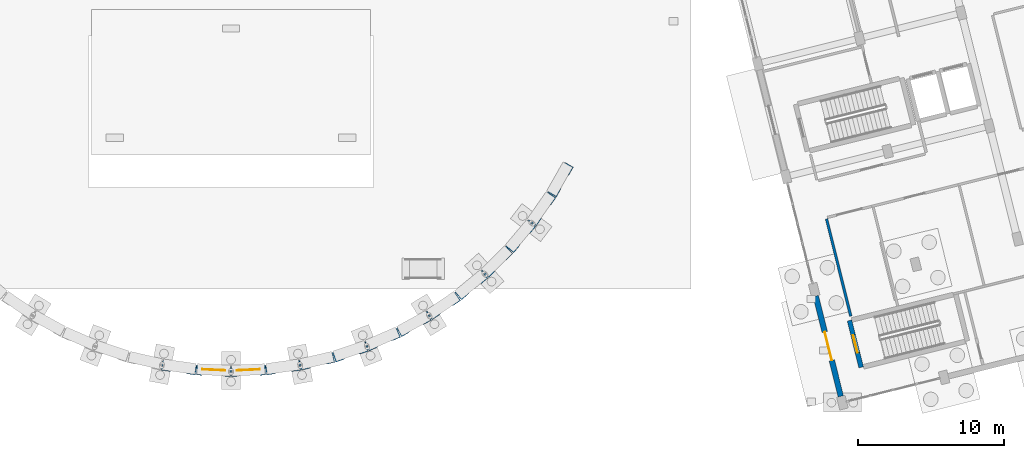
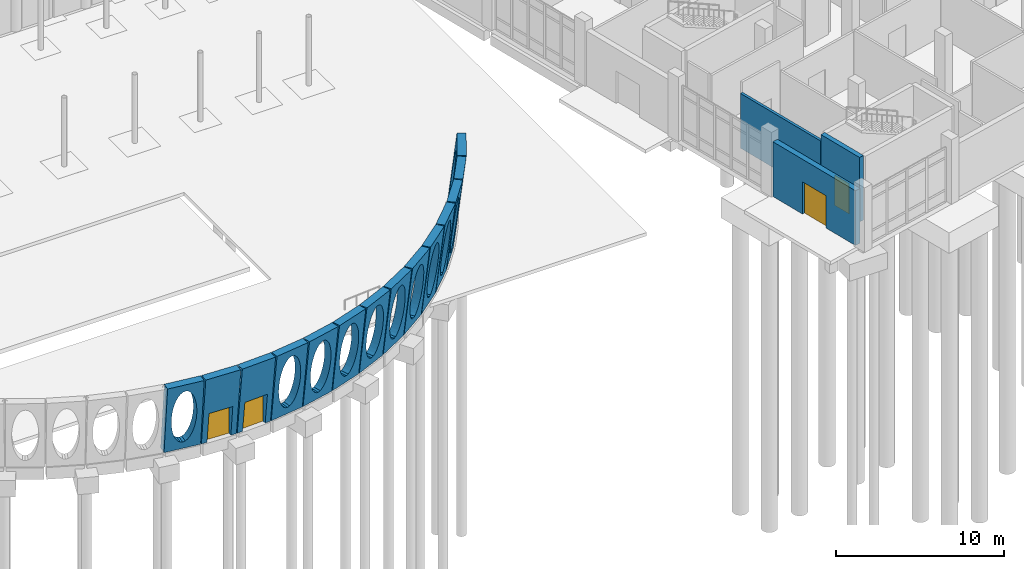
# One storey, part 151 of 173: 17 walls, 4 doors, 16 openings.
"""IFC4 building model written with IfcOpenShell, lengths in metres."""

from ifc_helpers import new_model, si_unit, direction, frame, frame_2d, origin, place, context, subcontext, project, spatial, polyline, rectangle, outline, extrude, material, layer, layer_set, type_object, element, fill, save


model = new_model("IFC4")

# Units and contexts
model_context = context("Model", 3, precision=1e-05, world=origin(), true_north=direction((0.0, 1.0)))
body_context = subcontext(model_context, "Body", "Model", "MODEL_VIEW")
ifc_project = project(units=[si_unit("LENGTHUNIT", "METRE"), si_unit("AREAUNIT", "SQUARE_METRE"), si_unit("VOLUMEUNIT", "CUBIC_METRE"), si_unit("PLANEANGLEUNIT", "RADIAN"), si_unit("MASSUNIT", "GRAM", prefix="KILO")], contexts=[model_context])

# Site, building, storey
site_placement = place(None, origin())
site = spatial("IfcSite", under=ifc_project, at=site_placement, CompositionType="ELEMENT")
building_placement = place(site_placement, origin())
building = spatial("IfcBuilding", under=site, at=building_placement, Name="Mawjan Specialist Oncology Clinic", CompositionType="ELEMENT")
storey_placement = place(building_placement, origin())
storey = spatial("IfcBuildingStorey", under=building, at=storey_placement, Name="L00", CompositionType="ELEMENT", Elevation=0.0)

# Wall, opening, door
ifc_material_1 = material(Name="Precast concrete C40/50", Category="concrete")
ifc_layer_1 = layer(ifc_material_1, 0.3798828125, Name="Precast concrete C40/50", Category="concrete")
ifc_layer_set_1 = layer_set([ifc_layer_1], Name="Precast concrete C40/50")
wall_type_1 = type_object("IfcWallType", Name="EW-380", PredefinedType="SOLIDWALL", material=ifc_layer_set_1)
wall_1_placement = place(storey_placement, frame((125.89111328125, 1.236572265625, 0.0), z_axis=(0.0, 0.0, 1.0), x_axis=(-0.241904492141, 0.97030006528, 0.0)))
wall_1 = element("IfcWall", 1, at=wall_1_placement, inside=storey, type_object=wall_type_1, Name="L00 Coral-Limestone Exterior Wall EW-L00-068", PredefinedType="SOLIDWALL", context=body_context, shape_type="SweptSolid", body=[
    extrude(rectangle(XDim=7.10009765625, YDim=0.3798828125, at=frame_2d((3.550048828125, 0.0))), origin(), (0.0, 0.0, 1.0), 3.985107421875),
])
opening_1_placement = place(wall_1_placement, frame((2.550048828125, 0.0, 0.0)))
opening_1 = element("IfcOpeningElement", 2, at=opening_1_placement, cuts=wall_1, Name="Opening DE-200", PredefinedType="OPENING", context=body_context, shape_type="SweptSolid", body=[
    extrude(rectangle(XDim=2.0, YDim=2.35009765625, at=frame_2d((1.0, 1.175048828125))), frame((0.0, 0.201904296875, 0.0), z_axis=(0.0, -1.0, 0.0), x_axis=(1.0, 0.0, 0.0)), (0.0, 0.0, 1.0), 0.40380859375),
])
ifc_material_2 = material(Name="Insulated marine-grade aluminium entrance assembly", Category="aluminium")
door_type_1 = type_object("IfcDoorType", Name="DE-200", OperationType="DOUBLE_DOOR_SINGLE_SWING", PredefinedType="DOOR", material=ifc_material_2)
door_1_placement = place(opening_1_placement, origin())
door_1 = element("IfcDoor", 3, at=door_1_placement, inside=storey, type_object=door_type_1, Name="Exit Stair ST-06 Final Exterior Discharge Door", OperationType="DOUBLE_DOOR_SINGLE_SWING", OverallHeight=2.35009765625, OverallWidth=2.0, PredefinedType="DOOR", context=body_context, shape_type="SweptSolid", body=[
    extrude(rectangle(XDim=2.0, YDim=2.35009765625, at=frame_2d((1.0, 1.175048828125))), frame((0.0, 0.02490234375, 0.0), z_axis=(0.0, -1.0, 0.0), x_axis=(1.0, 0.0, 0.0)), (0.0, 0.0, 1.0), 0.050048828125),
])
fill(opening_1, door_1)

# Wall, opening
ifc_material_3 = material(Name="Concrete C45/55", Category="concrete")
ifc_layer_2 = layer(ifc_material_3, 0.550048828125, Name="Concrete C45/55", Category="concrete")
ifc_layer_set_2 = layer_set([ifc_layer_2], Name="Concrete C45/55")
wall_type_2 = type_object("IfcWallType", Name="EW-ARC550", PredefinedType="SOLIDWALL", material=ifc_layer_set_2)
wall_2_placement = place(storey_placement, frame((81.606201171875, 3.111083984375, 0.0), z_axis=(0.0, 0.0, 1.0), x_axis=(-0.990564833786, 0.137044919882, 0.0)))
wall_2 = element("IfcWall", 4, at=wall_2_placement, inside=storey, type_object=wall_type_2, Name="Curved Stone-Arc Wall L00 Chord 11", PredefinedType="SOLIDWALL", context=body_context, shape_type="SweptSolid", body=[
    extrude(outline(polyline([(-0.27490234375, 0.0), (0.27490234375, 0.0), (0.8447265625, 5.0), (0.29443359375, 5.0), (-0.27490234375, 0.0)])), frame((0.0, 0.0, 0.0), z_axis=(1.0, 0.0, 0.0), x_axis=(0.0, 1.0, 0.0)), (0.0, 0.0, 1.0), 2.3515625),
])
opening_2_placement = place(wall_2_placement, origin())
element("IfcOpeningElement", 5, at=opening_2_placement, cuts=wall_2, Name="Elliptical sky opening 1", PredefinedType="OPENING", context=body_context, shape_type="SweptSolid", body=[
    extrude(outline(polyline([(1.99169921875, 2.5), (1.975830078125, 2.889404296875), (1.929443359375, 3.263671875), (1.85400390625, 3.608642578125), (1.752685546875, 3.9111328125), (1.629150390625, 4.1591796875), (1.488037109375, 4.34375), (1.3349609375, 4.457275390625), (1.17578125, 4.49560546875), (1.0166015625, 4.457275390625), (0.863525390625, 4.34375), (0.72265625, 4.1591796875), (0.598876953125, 3.9111328125), (0.49755859375, 3.608642578125), (0.422119140625, 3.263671875), (0.375732421875, 2.889404296875), (0.360107421875, 2.5), (0.375732421875, 2.110595703125), (0.422119140625, 1.736328125), (0.49755859375, 1.391357421875), (0.598876953125, 1.0888671875), (0.72265625, 0.8408203125), (0.863525390625, 0.65625), (1.0166015625, 0.542724609375), (1.17578125, 0.50439453125), (1.3349609375, 0.542724609375), (1.488037109375, 0.65625), (1.629150390625, 0.8408203125), (1.752685546875, 1.0888671875), (1.85400390625, 1.391357421875), (1.929443359375, 1.736328125), (1.975830078125, 2.110595703125), (1.99169921875, 2.5)])), frame((0.0, 0.864501953125, 0.0), z_axis=(0.0, -1.0, 0.0), x_axis=(1.0, 0.0, 0.0)), (0.0, 0.0, 1.0), 1.15966796875),
])

# Wall, opening, door
wall_3_placement = place(storey_placement, frame((83.985107421875, 3.000732421875, 0.0), z_axis=(0.0, 0.0, 1.0), x_axis=(-0.9989513443, 0.045784404784, 0.0)))
wall_3 = element("IfcWall", 6, at=wall_3_placement, inside=storey, type_object=wall_type_2, Name="Curved Stone-Arc Wall L00 Chord 12", PredefinedType="SOLIDWALL", context=body_context, shape_type="SweptSolid", body=[
    extrude(outline(polyline([(-0.27490234375, 0.0), (0.27490234375, 0.0), (0.8447265625, 5.0), (0.29443359375, 5.0), (-0.27490234375, 0.0)])), frame((0.0, 0.0, 0.0), z_axis=(1.0, 0.0, 0.0), x_axis=(0.0, 1.0, 0.0)), (0.0, 0.0, 1.0), 2.3515625),
])
opening_3_placement = place(wall_3_placement, frame((0.375732421875, 0.0, 0.0)))
opening_3 = element("IfcOpeningElement", 7, at=opening_3_placement, cuts=wall_3, Name="Opening DT-160", PredefinedType="OPENING", context=body_context, shape_type="SweptSolid", body=[
    extrude(rectangle(XDim=1.60009765625, YDim=2.25, at=frame_2d((0.800048828125, 1.125))), frame((0.0, 0.856689453125, 0.0), z_axis=(0.0, -1.0, 0.0), x_axis=(1.0, 0.0, 0.0)), (0.0, 0.0, 1.0), 1.1435546875),
])
ifc_material_4 = material(Name="Insulated marine-grade aluminium entrance assembly", Category="aluminium")
door_type_2 = type_object("IfcDoorType", Name="DT-160", OperationType="DOUBLE_DOOR_SINGLE_SWING", PredefinedType="DOOR", material=ifc_material_4)
door_2_placement = place(opening_3_placement, origin())
door_2 = element("IfcDoor", 8, at=door_2_placement, inside=storey, type_object=door_type_2, Name="Forecourt Stone-Arc Portal Door 12", OperationType="DOUBLE_DOOR_SINGLE_SWING", OverallHeight=2.25, OverallWidth=1.60009765625, PredefinedType="DOOR", context=body_context, shape_type="SweptSolid", body=[
    extrude(rectangle(XDim=1.60009765625, YDim=2.25, at=frame_2d((0.800048828125, 1.125))), frame((0.0, 0.02490234375, 0.0), z_axis=(0.0, -1.0, 0.0), x_axis=(1.0, 0.0, 0.0)), (0.0, 0.0, 1.0), 0.050048828125),
])
fill(opening_3, door_2)

wall_4_placement = place(storey_placement, frame((86.364013671875, 3.1083984375, 0.0), z_axis=(0.0, 0.0, 1.0), x_axis=(-0.9989513443, -0.045784404784, 0.0)))
wall_4 = element("IfcWall", 9, at=wall_4_placement, inside=storey, type_object=wall_type_2, Name="Curved Stone-Arc Wall L00 Chord 13", PredefinedType="SOLIDWALL", context=body_context, shape_type="SweptSolid", body=[
    extrude(outline(polyline([(-0.27490234375, 0.0), (0.27490234375, 0.0), (0.8447265625, 5.0), (0.29443359375, 5.0), (-0.27490234375, 0.0)])), frame((0.0, 0.0, 0.0), z_axis=(1.0, 0.0, 0.0), x_axis=(0.0, 1.0, 0.0)), (0.0, 0.0, 1.0), 2.3515625),
])
opening_4_placement = place(wall_4_placement, frame((0.375732421875, 0.0, 0.0)))
opening_4 = element("IfcOpeningElement", 10, at=opening_4_placement, cuts=wall_4, Name="Opening DT-160", PredefinedType="OPENING", context=body_context, shape_type="SweptSolid", body=[
    extrude(rectangle(XDim=1.60009765625, YDim=2.25, at=frame_2d((0.800048828125, 1.125))), frame((0.0, 0.856689453125, 0.0), z_axis=(0.0, -1.0, 0.0), x_axis=(1.0, 0.0, 0.0)), (0.0, 0.0, 1.0), 1.1435546875),
])
door_3_placement = place(opening_4_placement, origin())
door_3 = element("IfcDoor", 11, at=door_3_placement, inside=storey, type_object=door_type_2, Name="Forecourt Stone-Arc Portal Door 13", OperationType="DOUBLE_DOOR_SINGLE_SWING", OverallHeight=2.25, OverallWidth=1.60009765625, PredefinedType="DOOR", context=body_context, shape_type="SweptSolid", body=[
    extrude(rectangle(XDim=1.60009765625, YDim=2.25, at=frame_2d((0.800048828125, 1.125))), frame((0.0, 0.02490234375, 0.0), z_axis=(0.0, -1.0, 0.0), x_axis=(1.0, 0.0, 0.0)), (0.0, 0.0, 1.0), 0.050048828125),
])
fill(opening_4, door_3)

# Wall, opening
wall_5_placement = place(storey_placement, frame((88.72314453125, 3.433349609375, 0.0), z_axis=(0.0, 0.0, 1.0), x_axis=(-0.990564833786, -0.137044919882, 0.0)))
wall_5 = element("IfcWall", 12, at=wall_5_placement, inside=storey, type_object=wall_type_2, Name="Curved Stone-Arc Wall L00 Chord 14", PredefinedType="SOLIDWALL", context=body_context, shape_type="SweptSolid", body=[
    extrude(outline(polyline([(-0.27490234375, 0.0), (0.27490234375, 0.0), (0.8447265625, 5.0), (0.29443359375, 5.0), (-0.27490234375, 0.0)])), frame((0.0, 0.0, 0.0), z_axis=(1.0, 0.0, 0.0), x_axis=(0.0, 1.0, 0.0)), (0.0, 0.0, 1.0), 2.3515625),
])
opening_5_placement = place(wall_5_placement, origin())
element("IfcOpeningElement", 13, at=opening_5_placement, cuts=wall_5, Name="Elliptical sky opening 1", PredefinedType="OPENING", context=body_context, shape_type="SweptSolid", body=[
    extrude(outline(polyline([(1.99169921875, 2.5), (1.975830078125, 2.889404296875), (1.929443359375, 3.263671875), (1.85400390625, 3.608642578125), (1.752685546875, 3.9111328125), (1.629150390625, 4.1591796875), (1.488037109375, 4.34375), (1.3349609375, 4.457275390625), (1.17578125, 4.49560546875), (1.0166015625, 4.457275390625), (0.863525390625, 4.34375), (0.72265625, 4.1591796875), (0.598876953125, 3.9111328125), (0.49755859375, 3.608642578125), (0.422119140625, 3.263671875), (0.375732421875, 2.889404296875), (0.360107421875, 2.5), (0.375732421875, 2.110595703125), (0.422119140625, 1.736328125), (0.49755859375, 1.391357421875), (0.598876953125, 1.0888671875), (0.72265625, 0.8408203125), (0.863525390625, 0.65625), (1.0166015625, 0.542724609375), (1.17578125, 0.50439453125), (1.3349609375, 0.542724609375), (1.488037109375, 0.65625), (1.629150390625, 0.8408203125), (1.752685546875, 1.0888671875), (1.85400390625, 1.391357421875), (1.929443359375, 1.736328125), (1.975830078125, 2.110595703125), (1.99169921875, 2.5)])), frame((0.0, 0.864501953125, 0.0), z_axis=(0.0, -1.0, 0.0), x_axis=(1.0, 0.0, 0.0)), (0.0, 0.0, 1.0), 1.15966796875),
])

wall_6_placement = place(storey_placement, frame((91.042724609375, 3.97265625, 0.0), z_axis=(0.0, 0.0, 1.0), x_axis=(-0.973879487576, -0.227065505259, 0.0)))
wall_6 = element("IfcWall", 14, at=wall_6_placement, inside=storey, type_object=wall_type_2, Name="Curved Stone-Arc Wall L00 Chord 15", PredefinedType="SOLIDWALL", context=body_context, shape_type="SweptSolid", body=[
    extrude(outline(polyline([(-0.27490234375, 0.0), (0.27490234375, 0.0), (0.8447265625, 5.0), (0.29443359375, 5.0), (-0.27490234375, 0.0)])), frame((0.0, 0.0, 0.0), z_axis=(1.0, 0.0, 0.0), x_axis=(0.0, 1.0, 0.0)), (0.0, 0.0, 1.0), 2.3515625),
])
opening_6_placement = place(wall_6_placement, origin())
element("IfcOpeningElement", 15, at=opening_6_placement, cuts=wall_6, Name="Elliptical sky opening 1", PredefinedType="OPENING", context=body_context, shape_type="SweptSolid", body=[
    extrude(outline(polyline([(1.99169921875, 2.5), (1.975830078125, 2.889404296875), (1.929443359375, 3.263671875), (1.85400390625, 3.608642578125), (1.752685546875, 3.9111328125), (1.629150390625, 4.1591796875), (1.488037109375, 4.34375), (1.3349609375, 4.457275390625), (1.17578125, 4.49560546875), (1.0166015625, 4.457275390625), (0.863525390625, 4.34375), (0.72265625, 4.1591796875), (0.598876953125, 3.9111328125), (0.49755859375, 3.608642578125), (0.422119140625, 3.263671875), (0.375732421875, 2.889404296875), (0.360107421875, 2.5), (0.375732421875, 2.110595703125), (0.422119140625, 1.736328125), (0.49755859375, 1.391357421875), (0.598876953125, 1.0888671875), (0.72265625, 0.8408203125), (0.863525390625, 0.65625), (1.0166015625, 0.542724609375), (1.17578125, 0.50439453125), (1.3349609375, 0.542724609375), (1.488037109375, 0.65625), (1.629150390625, 0.8408203125), (1.752685546875, 1.0888671875), (1.85400390625, 1.391357421875), (1.929443359375, 1.736328125), (1.975830078125, 2.110595703125), (1.99169921875, 2.5)])), frame((0.0, 0.864501953125, 0.0), z_axis=(0.0, -1.0, 0.0), x_axis=(1.0, 0.0, 0.0)), (0.0, 0.0, 1.0), 1.15966796875),
])

wall_7_placement = place(storey_placement, frame((93.30322265625, 4.72216796875, 0.0), z_axis=(0.0, 0.0, 1.0), x_axis=(-0.949015033488, -0.315230814187, 0.0)))
wall_7 = element("IfcWall", 16, at=wall_7_placement, inside=storey, type_object=wall_type_2, Name="Curved Stone-Arc Wall L00 Chord 16", PredefinedType="SOLIDWALL", context=body_context, shape_type="SweptSolid", body=[
    extrude(outline(polyline([(-0.27490234375, 0.0), (0.27490234375, 0.0), (0.8447265625, 5.0), (0.29443359375, 5.0), (-0.27490234375, 0.0)])), frame((0.0, 0.0, 0.0), z_axis=(1.0, 0.0, 0.0), x_axis=(0.0, 1.0, 0.0)), (0.0, 0.0, 1.0), 2.351318359375),
])
opening_7_placement = place(wall_7_placement, origin())
element("IfcOpeningElement", 17, at=opening_7_placement, cuts=wall_7, Name="Elliptical sky opening 1", PredefinedType="OPENING", context=body_context, shape_type="SweptSolid", body=[
    extrude(outline(polyline([(1.99169921875, 2.5), (1.975830078125, 2.889404296875), (1.929443359375, 3.263671875), (1.85400390625, 3.608642578125), (1.752685546875, 3.9111328125), (1.629150390625, 4.1591796875), (1.488037109375, 4.34375), (1.3349609375, 4.457275390625), (1.17578125, 4.49560546875), (1.0166015625, 4.457275390625), (0.863525390625, 4.34375), (0.72265625, 4.1591796875), (0.598876953125, 3.9111328125), (0.49755859375, 3.608642578125), (0.422119140625, 3.263671875), (0.375732421875, 2.889404296875), (0.360107421875, 2.5), (0.375732421875, 2.110595703125), (0.422119140625, 1.736328125), (0.49755859375, 1.391357421875), (0.598876953125, 1.0888671875), (0.72265625, 0.8408203125), (0.863525390625, 0.65625), (1.0166015625, 0.542724609375), (1.17578125, 0.50439453125), (1.3349609375, 0.542724609375), (1.488037109375, 0.65625), (1.629150390625, 0.8408203125), (1.752685546875, 1.0888671875), (1.85400390625, 1.391357421875), (1.929443359375, 1.736328125), (1.975830078125, 2.110595703125), (1.99169921875, 2.5)])), frame((0.0, 0.864501953125, 0.0), z_axis=(0.0, -1.0, 0.0), x_axis=(1.0, 0.0, 0.0)), (0.0, 0.0, 1.0), 1.15966796875),
])

wall_8_placement = place(storey_placement, frame((95.48583984375, 5.67529296875, 0.0), z_axis=(0.0, 0.0, 1.0), x_axis=(-0.916193071853, -0.400737139643, 0.0)))
wall_8 = element("IfcWall", 18, at=wall_8_placement, inside=storey, type_object=wall_type_2, Name="Curved Stone-Arc Wall L00 Chord 17", PredefinedType="SOLIDWALL", context=body_context, shape_type="SweptSolid", body=[
    extrude(outline(polyline([(-0.27490234375, 0.0), (0.27490234375, 0.0), (0.8447265625, 5.0), (0.29443359375, 5.0), (-0.27490234375, 0.0)])), frame((0.0, 0.0, 0.0), z_axis=(1.0, 0.0, 0.0), x_axis=(0.0, 1.0, 0.0)), (0.0, 0.0, 1.0), 2.3515625),
])
opening_8_placement = place(wall_8_placement, origin())
element("IfcOpeningElement", 19, at=opening_8_placement, cuts=wall_8, Name="Elliptical sky opening 1", PredefinedType="OPENING", context=body_context, shape_type="SweptSolid", body=[
    extrude(outline(polyline([(1.99169921875, 2.5), (1.975830078125, 2.889404296875), (1.929443359375, 3.263671875), (1.85400390625, 3.608642578125), (1.752685546875, 3.9111328125), (1.629150390625, 4.1591796875), (1.488037109375, 4.34375), (1.3349609375, 4.457275390625), (1.17578125, 4.49560546875), (1.0166015625, 4.457275390625), (0.863525390625, 4.34375), (0.72265625, 4.1591796875), (0.598876953125, 3.9111328125), (0.49755859375, 3.608642578125), (0.422119140625, 3.263671875), (0.375732421875, 2.889404296875), (0.360107421875, 2.5), (0.375732421875, 2.110595703125), (0.422119140625, 1.736328125), (0.49755859375, 1.391357421875), (0.598876953125, 1.0888671875), (0.72265625, 0.8408203125), (0.863525390625, 0.65625), (1.0166015625, 0.542724609375), (1.17578125, 0.50439453125), (1.3349609375, 0.542724609375), (1.488037109375, 0.65625), (1.629150390625, 0.8408203125), (1.752685546875, 1.0888671875), (1.85400390625, 1.391357421875), (1.929443359375, 1.736328125), (1.975830078125, 2.110595703125), (1.99169921875, 2.5)])), frame((0.0, 0.864501953125, 0.0), z_axis=(0.0, -1.0, 0.0), x_axis=(1.0, 0.0, 0.0)), (0.0, 0.0, 1.0), 1.15966796875),
])

wall_9_placement = place(storey_placement, frame((97.57177734375, 6.82421875, 0.0), z_axis=(0.0, 0.0, 1.0), x_axis=(-0.875632191941, -0.482978534137, 0.0)))
wall_9 = element("IfcWall", 20, at=wall_9_placement, inside=storey, type_object=wall_type_2, Name="Curved Stone-Arc Wall L00 Chord 18", PredefinedType="SOLIDWALL", context=body_context, shape_type="SweptSolid", body=[
    extrude(outline(polyline([(-0.27490234375, 0.0), (0.27490234375, 0.0), (0.8447265625, 5.0), (0.29443359375, 5.0), (-0.27490234375, 0.0)])), frame((0.0, 0.0, 0.0), z_axis=(1.0, 0.0, 0.0), x_axis=(0.0, 1.0, 0.0)), (0.0, 0.0, 1.0), 2.3515625),
])
opening_9_placement = place(wall_9_placement, origin())
element("IfcOpeningElement", 21, at=opening_9_placement, cuts=wall_9, Name="Elliptical sky opening 1", PredefinedType="OPENING", context=body_context, shape_type="SweptSolid", body=[
    extrude(outline(polyline([(1.99169921875, 2.5), (1.975830078125, 2.889404296875), (1.929443359375, 3.263671875), (1.85400390625, 3.608642578125), (1.752685546875, 3.9111328125), (1.629150390625, 4.1591796875), (1.488037109375, 4.34375), (1.3349609375, 4.457275390625), (1.17578125, 4.49560546875), (1.0166015625, 4.457275390625), (0.863525390625, 4.34375), (0.72265625, 4.1591796875), (0.598876953125, 3.9111328125), (0.49755859375, 3.608642578125), (0.422119140625, 3.263671875), (0.375732421875, 2.889404296875), (0.360107421875, 2.5), (0.375732421875, 2.110595703125), (0.422119140625, 1.736328125), (0.49755859375, 1.391357421875), (0.598876953125, 1.0888671875), (0.72265625, 0.8408203125), (0.863525390625, 0.65625), (1.0166015625, 0.542724609375), (1.17578125, 0.50439453125), (1.3349609375, 0.542724609375), (1.488037109375, 0.65625), (1.629150390625, 0.8408203125), (1.752685546875, 1.0888671875), (1.85400390625, 1.391357421875), (1.929443359375, 1.736328125), (1.975830078125, 2.110595703125), (1.99169921875, 2.5)])), frame((0.0, 0.864501953125, 0.0), z_axis=(0.0, -1.0, 0.0), x_axis=(1.0, 0.0, 0.0)), (0.0, 0.0, 1.0), 1.15966796875),
])

wall_10_placement = place(storey_placement, frame((99.5439453125, 8.158935546875, 0.0), z_axis=(0.0, 0.0, 1.0), x_axis=(-0.8278253666, -0.560985884327, 0.0)))
wall_10 = element("IfcWall", 22, at=wall_10_placement, inside=storey, type_object=wall_type_2, Name="Curved Stone-Arc Wall L00 Chord 19", PredefinedType="SOLIDWALL", context=body_context, shape_type="SweptSolid", body=[
    extrude(outline(polyline([(-0.27490234375, 0.0), (0.27490234375, 0.0), (0.8447265625, 5.0), (0.29443359375, 5.0), (-0.27490234375, 0.0)])), frame((0.0, 0.0, 0.0), z_axis=(1.0, 0.0, 0.0), x_axis=(0.0, 1.0, 0.0)), (0.0, 0.0, 1.0), 2.351318359375),
])
opening_10_placement = place(wall_10_placement, origin())
element("IfcOpeningElement", 23, at=opening_10_placement, cuts=wall_10, Name="Elliptical sky opening 1", PredefinedType="OPENING", context=body_context, shape_type="SweptSolid", body=[
    extrude(outline(polyline([(1.99169921875, 2.5), (1.975830078125, 2.889404296875), (1.929443359375, 3.263671875), (1.85400390625, 3.608642578125), (1.752685546875, 3.9111328125), (1.629150390625, 4.1591796875), (1.488037109375, 4.34375), (1.3349609375, 4.457275390625), (1.17578125, 4.49560546875), (1.0166015625, 4.457275390625), (0.863525390625, 4.34375), (0.72265625, 4.1591796875), (0.598876953125, 3.9111328125), (0.49755859375, 3.608642578125), (0.422119140625, 3.263671875), (0.375732421875, 2.889404296875), (0.360107421875, 2.5), (0.375732421875, 2.110595703125), (0.422119140625, 1.736328125), (0.49755859375, 1.391357421875), (0.598876953125, 1.0888671875), (0.72265625, 0.8408203125), (0.863525390625, 0.65625), (1.0166015625, 0.542724609375), (1.17578125, 0.50439453125), (1.3349609375, 0.542724609375), (1.488037109375, 0.65625), (1.629150390625, 0.8408203125), (1.752685546875, 1.0888671875), (1.85400390625, 1.391357421875), (1.929443359375, 1.736328125), (1.975830078125, 2.110595703125), (1.99169921875, 2.5)])), frame((0.0, 0.864501953125, 0.0), z_axis=(0.0, -1.0, 0.0), x_axis=(1.0, 0.0, 0.0)), (0.0, 0.0, 1.0), 1.15966796875),
])

wall_11_placement = place(storey_placement, frame((101.3857421875, 9.668701171875, 0.0), z_axis=(0.0, 0.0, 1.0), x_axis=(-0.77300809069, -0.634396163078, 0.0)))
wall_11 = element("IfcWall", 24, at=wall_11_placement, inside=storey, type_object=wall_type_2, Name="Curved Stone-Arc Wall L00 Chord 20", PredefinedType="SOLIDWALL", context=body_context, shape_type="SweptSolid", body=[
    extrude(outline(polyline([(-0.27490234375, 0.0), (0.27490234375, 0.0), (0.8447265625, 5.0), (0.29443359375, 5.0), (-0.27490234375, 0.0)])), frame((0.0, 0.0, 0.0), z_axis=(1.0, 0.0, 0.0), x_axis=(0.0, 1.0, 0.0)), (0.0, 0.0, 1.0), 2.351318359375),
])
opening_11_placement = place(wall_11_placement, origin())
element("IfcOpeningElement", 25, at=opening_11_placement, cuts=wall_11, Name="Elliptical sky opening 1", PredefinedType="OPENING", context=body_context, shape_type="SweptSolid", body=[
    extrude(outline(polyline([(1.99169921875, 2.5), (1.975830078125, 2.889404296875), (1.929443359375, 3.263671875), (1.85400390625, 3.608642578125), (1.752685546875, 3.9111328125), (1.629150390625, 4.1591796875), (1.488037109375, 4.34375), (1.3349609375, 4.457275390625), (1.17578125, 4.49560546875), (1.0166015625, 4.457275390625), (0.863525390625, 4.34375), (0.72265625, 4.1591796875), (0.598876953125, 3.9111328125), (0.49755859375, 3.608642578125), (0.422119140625, 3.263671875), (0.375732421875, 2.889404296875), (0.360107421875, 2.5), (0.375732421875, 2.110595703125), (0.422119140625, 1.736328125), (0.49755859375, 1.391357421875), (0.598876953125, 1.0888671875), (0.72265625, 0.8408203125), (0.863525390625, 0.65625), (1.0166015625, 0.542724609375), (1.17578125, 0.50439453125), (1.3349609375, 0.542724609375), (1.488037109375, 0.65625), (1.629150390625, 0.8408203125), (1.752685546875, 1.0888671875), (1.85400390625, 1.391357421875), (1.929443359375, 1.736328125), (1.975830078125, 2.110595703125), (1.99169921875, 2.5)])), frame((0.0, 0.864501953125, 0.0), z_axis=(0.0, -1.0, 0.0), x_axis=(1.0, 0.0, 0.0)), (0.0, 0.0, 1.0), 1.15966796875),
])

wall_12_placement = place(storey_placement, frame((103.081787109375, 11.340576171875, 0.0), z_axis=(0.0, 0.0, 1.0), x_axis=(-0.711763072192, -0.702419624629, 0.0)))
wall_12 = element("IfcWall", 26, at=wall_12_placement, inside=storey, type_object=wall_type_2, Name="Curved Stone-Arc Wall L00 Chord 21", PredefinedType="SOLIDWALL", context=body_context, shape_type="SweptSolid", body=[
    extrude(outline(polyline([(-0.27490234375, 0.0), (0.27490234375, 0.0), (0.8447265625, 5.0), (0.29443359375, 5.0), (-0.27490234375, 0.0)])), frame((0.0, 0.0, 0.0), z_axis=(1.0, 0.0, 0.0), x_axis=(0.0, 1.0, 0.0)), (0.0, 0.0, 1.0), 2.3515625),
])
opening_12_placement = place(wall_12_placement, origin())
element("IfcOpeningElement", 27, at=opening_12_placement, cuts=wall_12, Name="Elliptical sky opening 1", PredefinedType="OPENING", context=body_context, shape_type="SweptSolid", body=[
    extrude(outline(polyline([(1.99169921875, 2.5), (1.975830078125, 2.889404296875), (1.929443359375, 3.263671875), (1.85400390625, 3.608642578125), (1.752685546875, 3.9111328125), (1.629150390625, 4.1591796875), (1.488037109375, 4.34375), (1.3349609375, 4.457275390625), (1.17578125, 4.49560546875), (1.0166015625, 4.457275390625), (0.863525390625, 4.34375), (0.72265625, 4.1591796875), (0.598876953125, 3.9111328125), (0.49755859375, 3.608642578125), (0.422119140625, 3.263671875), (0.375732421875, 2.889404296875), (0.360107421875, 2.5), (0.375732421875, 2.110595703125), (0.422119140625, 1.736328125), (0.49755859375, 1.391357421875), (0.598876953125, 1.0888671875), (0.72265625, 0.8408203125), (0.863525390625, 0.65625), (1.0166015625, 0.542724609375), (1.17578125, 0.50439453125), (1.3349609375, 0.542724609375), (1.488037109375, 0.65625), (1.629150390625, 0.8408203125), (1.752685546875, 1.0888671875), (1.85400390625, 1.391357421875), (1.929443359375, 1.736328125), (1.975830078125, 2.110595703125), (1.99169921875, 2.5)])), frame((0.0, 0.864501953125, 0.0), z_axis=(0.0, -1.0, 0.0), x_axis=(1.0, 0.0, 0.0)), (0.0, 0.0, 1.0), 1.15966796875),
])

wall_13_placement = place(storey_placement, frame((104.617431640625, 13.16064453125, 0.0), z_axis=(0.0, 0.0, 1.0), x_axis=(-0.644433033076, -0.764660752151, 0.0)))
wall_13 = element("IfcWall", 28, at=wall_13_placement, inside=storey, type_object=wall_type_2, Name="Curved Stone-Arc Wall L00 Chord 22", PredefinedType="SOLIDWALL", context=body_context, shape_type="SweptSolid", body=[
    extrude(outline(polyline([(-0.27490234375, 0.0), (0.27490234375, 0.0), (0.8447265625, 5.0), (0.29443359375, 5.0), (-0.27490234375, 0.0)])), frame((0.0, 0.0, 0.0), z_axis=(1.0, 0.0, 0.0), x_axis=(0.0, 1.0, 0.0)), (0.0, 0.0, 1.0), 2.3515625),
])
opening_13_placement = place(wall_13_placement, origin())
element("IfcOpeningElement", 29, at=opening_13_placement, cuts=wall_13, Name="Elliptical sky opening 1", PredefinedType="OPENING", context=body_context, shape_type="SweptSolid", body=[
    extrude(outline(polyline([(1.99169921875, 2.5), (1.975830078125, 2.889404296875), (1.929443359375, 3.263671875), (1.85400390625, 3.608642578125), (1.752685546875, 3.9111328125), (1.629150390625, 4.1591796875), (1.488037109375, 4.34375), (1.3349609375, 4.457275390625), (1.17578125, 4.49560546875), (1.0166015625, 4.457275390625), (0.863525390625, 4.34375), (0.72265625, 4.1591796875), (0.598876953125, 3.9111328125), (0.49755859375, 3.608642578125), (0.422119140625, 3.263671875), (0.375732421875, 2.889404296875), (0.360107421875, 2.5), (0.375732421875, 2.110595703125), (0.422119140625, 1.736328125), (0.49755859375, 1.391357421875), (0.598876953125, 1.0888671875), (0.72265625, 0.8408203125), (0.863525390625, 0.65625), (1.0166015625, 0.542724609375), (1.17578125, 0.50439453125), (1.3349609375, 0.542724609375), (1.488037109375, 0.65625), (1.629150390625, 0.8408203125), (1.752685546875, 1.0888671875), (1.85400390625, 1.391357421875), (1.929443359375, 1.736328125), (1.975830078125, 2.110595703125), (1.99169921875, 2.5)])), frame((0.0, 0.864501953125, 0.0), z_axis=(0.0, -1.0, 0.0), x_axis=(1.0, 0.0, 0.0)), (0.0, 0.0, 1.0), 1.15966796875),
])

wall_14_placement = place(storey_placement, frame((105.980224609375, 15.11376953125, 0.0), z_axis=(0.0, 0.0, 1.0), x_axis=(-0.571760897927, -0.820420304235, 0.0)))
wall_14 = element("IfcWall", 30, at=wall_14_placement, inside=storey, type_object=wall_type_2, Name="Curved Stone-Arc Wall L00 Chord 23", PredefinedType="SOLIDWALL", context=body_context, shape_type="SweptSolid", body=[
    extrude(outline(polyline([(-0.27490234375, 0.0), (0.27490234375, 0.0), (0.8447265625, 5.0), (0.29443359375, 5.0), (-0.27490234375, 0.0)])), frame((0.0, 0.0, 0.0), z_axis=(1.0, 0.0, 0.0), x_axis=(0.0, 1.0, 0.0)), (0.0, 0.0, 1.0), 2.3515625),
])
opening_14_placement = place(wall_14_placement, origin())
element("IfcOpeningElement", 31, at=opening_14_placement, cuts=wall_14, Name="Elliptical sky opening 1", PredefinedType="OPENING", context=body_context, shape_type="SweptSolid", body=[
    extrude(outline(polyline([(1.99169921875, 2.5), (1.975830078125, 2.889404296875), (1.929443359375, 3.263671875), (1.85400390625, 3.608642578125), (1.752685546875, 3.9111328125), (1.629150390625, 4.1591796875), (1.488037109375, 4.34375), (1.3349609375, 4.457275390625), (1.17578125, 4.49560546875), (1.0166015625, 4.457275390625), (0.863525390625, 4.34375), (0.72265625, 4.1591796875), (0.598876953125, 3.9111328125), (0.49755859375, 3.608642578125), (0.422119140625, 3.263671875), (0.375732421875, 2.889404296875), (0.360107421875, 2.5), (0.375732421875, 2.110595703125), (0.422119140625, 1.736328125), (0.49755859375, 1.391357421875), (0.598876953125, 1.0888671875), (0.72265625, 0.8408203125), (0.863525390625, 0.65625), (1.0166015625, 0.542724609375), (1.17578125, 0.50439453125), (1.3349609375, 0.542724609375), (1.488037109375, 0.65625), (1.629150390625, 0.8408203125), (1.752685546875, 1.0888671875), (1.85400390625, 1.391357421875), (1.929443359375, 1.736328125), (1.975830078125, 2.110595703125), (1.99169921875, 2.5)])), frame((0.0, 0.864501953125, 0.0), z_axis=(0.0, -1.0, 0.0), x_axis=(1.0, 0.0, 0.0)), (0.0, 0.0, 1.0), 1.15966796875),
])

wall_15_placement = place(storey_placement, frame((107.15869140625, 17.18310546875, 0.0), z_axis=(0.0, 0.0, 1.0), x_axis=(-0.494337608543, -0.86926999763, 0.0)))
wall_15 = element("IfcWall", 32, at=wall_15_placement, inside=storey, type_object=wall_type_2, Name="Curved Stone-Arc Wall L00 Chord 24", PredefinedType="SOLIDWALL", context=body_context, shape_type="SweptSolid", body=[
    extrude(outline(polyline([(-0.27490234375, 0.0), (0.27490234375, 0.0), (0.8447265625, 5.0), (0.29443359375, 5.0), (-0.27490234375, 0.0)])), frame((0.0, 0.0, 0.0), z_axis=(1.0, 0.0, 0.0), x_axis=(0.0, 1.0, 0.0)), (0.0, 0.0, 1.0), 2.351318359375),
])
opening_15_placement = place(wall_15_placement, origin())
element("IfcOpeningElement", 33, at=opening_15_placement, cuts=wall_15, Name="Elliptical sky opening 1", PredefinedType="OPENING", context=body_context, shape_type="SweptSolid", body=[
    extrude(outline(polyline([(1.99169921875, 2.5), (1.975830078125, 2.889404296875), (1.929443359375, 3.263671875), (1.85400390625, 3.608642578125), (1.752685546875, 3.9111328125), (1.629150390625, 4.1591796875), (1.488037109375, 4.34375), (1.3349609375, 4.457275390625), (1.17578125, 4.49560546875), (1.0166015625, 4.457275390625), (0.863525390625, 4.34375), (0.72265625, 4.1591796875), (0.598876953125, 3.9111328125), (0.49755859375, 3.608642578125), (0.422119140625, 3.263671875), (0.375732421875, 2.889404296875), (0.360107421875, 2.5), (0.375732421875, 2.110595703125), (0.422119140625, 1.736328125), (0.49755859375, 1.391357421875), (0.598876953125, 1.0888671875), (0.72265625, 0.8408203125), (0.863525390625, 0.65625), (1.0166015625, 0.542724609375), (1.17578125, 0.50439453125), (1.3349609375, 0.542724609375), (1.488037109375, 0.65625), (1.629150390625, 0.8408203125), (1.752685546875, 1.0888671875), (1.85400390625, 1.391357421875), (1.929443359375, 1.736328125), (1.975830078125, 2.110595703125), (1.99169921875, 2.5)])), frame((0.0, 0.864501953125, 0.0), z_axis=(0.0, -1.0, 0.0), x_axis=(1.0, 0.0, 0.0)), (0.0, 0.0, 1.0), 1.15966796875),
])

# Wall, opening, door
ifc_material_5 = material(Name="Concrete C45/55", Category="concrete")
ifc_layer_3 = layer(ifc_material_5, 0.320068359375, Name="Concrete C45/55", Category="concrete")
ifc_layer_set_3 = layer_set([ifc_layer_3], Name="Concrete C45/55")
wall_type_3 = type_object("IfcWallType", Name="SW-350", PredefinedType="SHEAR", material=ifc_layer_set_3)
wall_16_placement = place(storey_placement, frame((126.488525390625, 6.44580078125, 0.0), z_axis=(0.0, 0.0, 1.0), x_axis=(0.241947258837, -0.970289402158, 0.0)))
wall_16 = element("IfcWall", 34, at=wall_16_placement, inside=storey, type_object=wall_type_3, Name="L00 Core K6 Stair Shear Wall 4", PredefinedType="SHEAR", context=body_context, shape_type="SweptSolid", body=[
    extrude(rectangle(XDim=3.31982421875, YDim=0.320068359375, at=frame_2d((1.659912109375, 0.0))), origin(), (0.0, 0.0, 1.0), 4.699951171875),
])
opening_16_placement = place(wall_16_placement, frame((1.034912109375, 0.0, 0.0)))
opening_16 = element("IfcOpeningElement", 35, at=opening_16_placement, cuts=wall_16, Name="Opening FD-90W", PredefinedType="OPENING", context=body_context, shape_type="SweptSolid", body=[
    extrude(rectangle(XDim=1.25, YDim=2.199951171875, at=frame_2d((0.625, 1.10009765625))), frame((0.0, 0.172119140625, 0.0), z_axis=(0.0, -1.0, 0.0), x_axis=(1.0, 0.0, 0.0)), (0.0, 0.0, 1.0), 0.343994140625),
])
ifc_material_6 = material(Name="Stainless-steel fire-rated hospital door", Category="steel")
door_type_3 = type_object("IfcDoorType", Name="FD-90W", OperationType="NOTDEFINED", PredefinedType="DOOR", material=ifc_material_6)
door_4_placement = place(opening_16_placement, origin())
door_4 = element("IfcDoor", 36, at=door_4_placement, inside=storey, type_object=door_type_3, Name="L00 ST-06 Fire Exit Stair Door", OperationType="SINGLE_SWING_LEFT", OverallHeight=2.199951171875, OverallWidth=1.25, PredefinedType="DOOR", context=body_context, shape_type="SweptSolid", body=[
    extrude(rectangle(XDim=1.25, YDim=2.199951171875, at=frame_2d((0.625, 1.10009765625))), frame((0.0, 0.02490234375, 0.0), z_axis=(0.0, -1.0, 0.0), x_axis=(1.0, 0.0, 0.0)), (0.0, 0.0, 1.0), 0.050048828125),
])
fill(opening_16, door_4)

# Wall
ifc_material_7 = material(Name="Lead-lined radiation-shielded clinical partition", Category="gypsum")
ifc_layer_4 = layer(ifc_material_7, 0.179931640625, Name="Lead-lined radiation-shielded clinical partition", Category="gypsum")
ifc_layer_set_4 = layer_set([ifc_layer_4], Name="Lead-lined radiation-shielded clinical partition")
wall_type_4 = type_object("IfcWallType", Name="WP-180", PredefinedType="PARTITIONING", material=ifc_layer_set_4)
wall_17_placement = place(storey_placement, frame((126.580078125, 6.740234375, 0.0), z_axis=(0.0, 0.0, 1.0), x_axis=(-0.24192707633, 0.97029443456, 0.0)))
element("IfcWall", 37, at=wall_17_placement, inside=storey, type_object=wall_type_4, Name="L00 Interior Partition W-RINT-L00-RAS1-W", PredefinedType="PARTITIONING", context=body_context, shape_type="SweptSolid", body=[
    extrude(rectangle(XDim=6.8916015625, YDim=0.179931640625, at=frame_2d((3.44580078125, 0.0))), origin(), (0.0, 0.0, 1.0), 3.985107421875),
])

save(model, "model.ifc")
